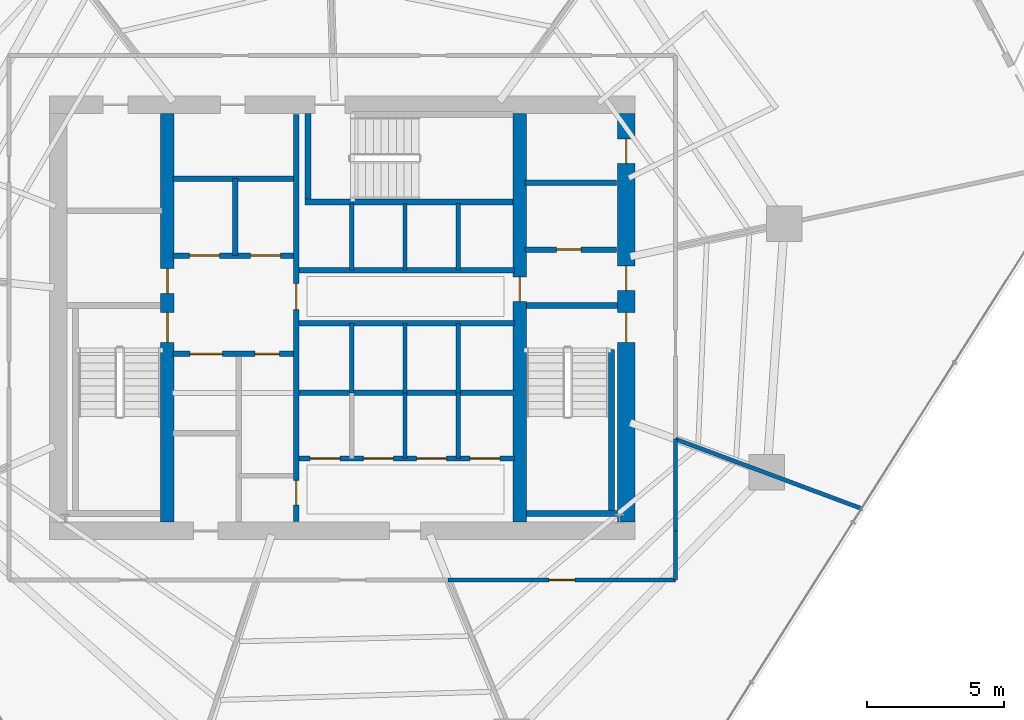
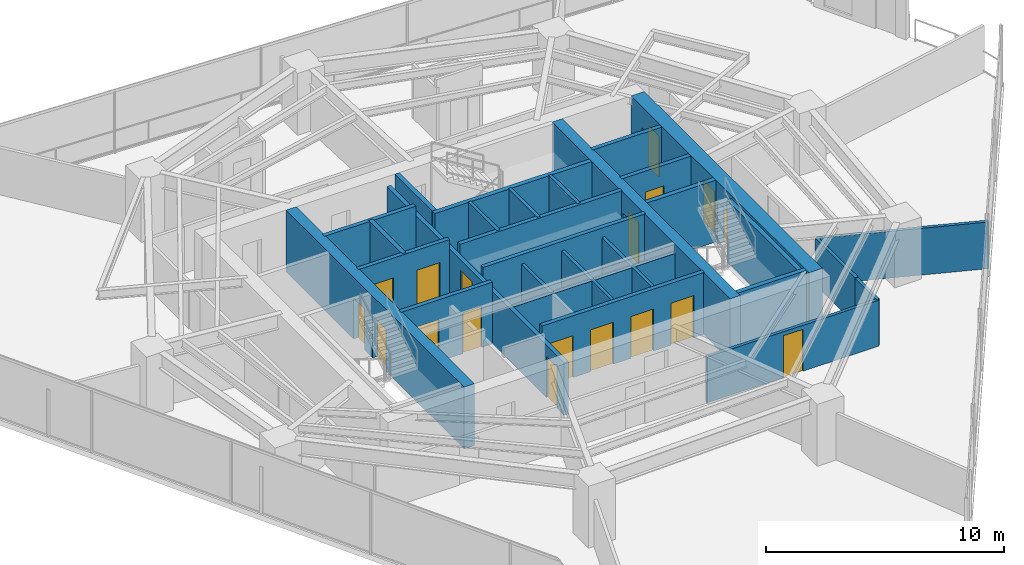
# One storey, part 24 of 30: 31 walls, 18 doors, 18 openings.
"""IFC4 building model written with IfcOpenShell, lengths in metres."""

from ifc_helpers import new_model, si_unit, direction, frame, frame_2d, origin, place, context, subcontext, project, spatial, rectangle, extrude, material, layer, layer_set, type_object, element, fill, save


model = new_model("IFC4")

# Units and contexts
model_context = context("Model", 3, precision=1e-05, world=origin(), true_north=direction((0.0, 1.0)))
body_context = subcontext(model_context, "Body", "Model", "MODEL_VIEW")
ifc_project = project(units=[si_unit("LENGTHUNIT", "METRE"), si_unit("AREAUNIT", "SQUARE_METRE"), si_unit("VOLUMEUNIT", "CUBIC_METRE"), si_unit("PLANEANGLEUNIT", "RADIAN"), si_unit("MASSUNIT", "GRAM", prefix="KILO")], contexts=[model_context])

# Site, building, storey
site_placement = place(None, origin())
site = spatial("IfcSite", under=ifc_project, at=site_placement, CompositionType="ELEMENT")
building_placement = place(site_placement, origin())
building = spatial("IfcBuilding", under=site, at=building_placement, Name="Qarnah Convention Tower", CompositionType="ELEMENT")
storey_placement = place(building_placement, frame((0.0, 0.0, 58.050048828125)))
storey = spatial("IfcBuildingStorey", under=building, at=storey_placement, Name="L14", CompositionType="ELEMENT", Elevation=58.050048828125)

# Wall, openings, doors
ifc_material_1 = material(Name="Concrete C60/75", Category="concrete")
ifc_layer_1 = layer(ifc_material_1, 0.64990234375)
ifc_layer_set_1 = layer_set([ifc_layer_1], Name="Concrete C60/75")
wall_type_1 = type_object("IfcWallType", Name="WL-CORE-650", PredefinedType="SHEAR", material=ifc_layer_set_1)
wall_1_placement = place(storey_placement, frame((47.60009765625, 18.925048828125, 0.0), z_axis=(0.0, 0.0, 1.0), x_axis=(0.0, 1.0, 0.0)))
wall_1 = element("IfcWall", 1, at=wall_1_placement, inside=storey, type_object=wall_type_1, Name="L14 core east shear wall", PredefinedType="SHEAR", context=body_context, shape_type="SweptSolid", body=[
    extrude(rectangle(XDim=14.949951171875, YDim=0.64990234375, at=frame_2d((7.47509765625, 0.0))), origin(), (0.0, 0.0, 1.0), 3.169921875),
])
opening_1_placement = place(wall_1_placement, frame((6.574951171875, 0.0, 0.0)))
opening_1 = element("IfcOpeningElement", 2, at=opening_1_placement, cuts=wall_1, Name="Opening D-1402", PredefinedType="OPENING", context=body_context, shape_type="SweptSolid", body=[
    extrude(rectangle(XDim=1.10009765625, YDim=2.14990234375, at=frame_2d((0.550048828125, 1.074951171875))), frame((0.0, 0.3349609375, 0.0), z_axis=(0.0, -1.0, 0.0), x_axis=(1.0, 0.0, 0.0)), (0.0, 0.0, 1.0), 0.669921875),
])
opening_2_placement = place(wall_1_placement, frame((8.47509765625, 0.0, 0.0)))
opening_2 = element("IfcOpeningElement", 3, at=opening_2_placement, cuts=wall_1, Name="Opening D-1406", PredefinedType="OPENING", context=body_context, shape_type="SweptSolid", body=[
    extrude(rectangle(XDim=0.89990234375, YDim=2.10009765625, at=frame_2d((0.449951171875, 1.050048828125))), frame((0.0, 0.3349609375, 0.0), z_axis=(0.0, -1.0, 0.0), x_axis=(1.0, 0.0, 0.0)), (0.0, 0.0, 1.0), 0.669921875),
])
opening_3_placement = place(wall_1_placement, frame((13.125, 0.0, 0.0)))
opening_3 = element("IfcOpeningElement", 4, at=opening_3_placement, cuts=wall_1, Name="Opening D-1412", PredefinedType="OPENING", context=body_context, shape_type="SweptSolid", body=[
    extrude(rectangle(XDim=0.89990234375, YDim=2.10009765625, at=frame_2d((0.449951171875, 1.050048828125))), frame((0.0, 0.3349609375, 0.0), z_axis=(0.0, -1.0, 0.0), x_axis=(1.0, 0.0, 0.0)), (0.0, 0.0, 1.0), 0.669921875),
])
ifc_material_2 = material(Name="Structural steel S355JR", Category="steel")
door_type_1 = type_object("IfcDoorType", Name="DT-RISER-900", OperationType="NOTDEFINED", PredefinedType="DOOR", material=ifc_material_2)
door_1_placement = place(opening_2_placement, origin())
door_1 = element("IfcDoor", 5, at=door_1_placement, inside=storey, type_object=door_type_1, Name="Door D-1406", OperationType="SINGLE_SWING_RIGHT", OverallHeight=2.10009765625, OverallWidth=0.89990234375, PredefinedType="DOOR", context=body_context, shape_type="SweptSolid", body=[
    extrude(rectangle(XDim=0.89990234375, YDim=2.10009765625, at=frame_2d((0.449951171875, 1.050048828125))), frame((0.0, 0.02490234375, 0.0), z_axis=(0.0, -1.0, 0.0), x_axis=(1.0, 0.0, 0.0)), (0.0, 0.0, 1.0), 0.050048828125),
])
fill(opening_2, door_1)
door_2_placement = place(opening_3_placement, origin())
door_2 = element("IfcDoor", 6, at=door_2_placement, inside=storey, type_object=door_type_1, Name="Door D-1412", OperationType="SINGLE_SWING_RIGHT", OverallHeight=2.10009765625, OverallWidth=0.89990234375, PredefinedType="DOOR", context=body_context, shape_type="SweptSolid", body=[
    extrude(rectangle(XDim=0.89990234375, YDim=2.10009765625, at=frame_2d((0.449951171875, 1.050048828125))), frame((0.0, 0.02490234375, 0.0), z_axis=(0.0, -1.0, 0.0), x_axis=(1.0, 0.0, 0.0)), (0.0, 0.0, 1.0), 0.050048828125),
])
fill(opening_3, door_2)
door_type_2 = type_object("IfcDoorType", Name="DT-STAIR-1100", OperationType="NOTDEFINED", PredefinedType="DOOR", material=ifc_material_2)
door_3_placement = place(opening_1_placement, origin())
door_3 = element("IfcDoor", 7, at=door_3_placement, inside=storey, type_object=door_type_2, Name="Door D-1402", OperationType="SINGLE_SWING_RIGHT", OverallHeight=2.14990234375, OverallWidth=1.10009765625, PredefinedType="DOOR", context=body_context, shape_type="SweptSolid", body=[
    extrude(rectangle(XDim=1.10009765625, YDim=2.14990234375, at=frame_2d((0.550048828125, 1.074951171875))), frame((0.0, 0.02490234375, 0.0), z_axis=(0.0, -1.0, 0.0), x_axis=(1.0, 0.0, 0.0)), (0.0, 0.0, 1.0), 0.050048828125),
])
fill(opening_1, door_3)

ifc_layer_2 = layer(ifc_material_1, 0.5)
ifc_layer_set_2 = layer_set([ifc_layer_2], Name="Concrete C60/75")
wall_type_2 = type_object("IfcWallType", Name="WL-CORE-INT-400", PredefinedType="SHEAR", material=ifc_layer_set_2)
wall_2_placement = place(storey_placement, frame((30.800048828125, 18.925048828125, 0.0), z_axis=(0.0, 0.0, 1.0), x_axis=(0.0, 1.0, 0.0)))
wall_2 = element("IfcWall", 8, at=wall_2_placement, inside=storey, type_object=wall_type_2, Name="L14 core west spine shear wall", PredefinedType="SHEAR", context=body_context, shape_type="SweptSolid", body=[
    extrude(rectangle(XDim=14.949951171875, YDim=0.5, at=frame_2d((7.47509765625, 0.0))), origin(), (0.0, 0.0, 1.0), 3.169921875),
])
opening_4_placement = place(wall_2_placement, frame((6.574951171875, 0.0, 0.0)))
opening_4 = element("IfcOpeningElement", 9, at=opening_4_placement, cuts=wall_2, Name="Opening D-1401", PredefinedType="OPENING", context=body_context, shape_type="SweptSolid", body=[
    extrude(rectangle(XDim=1.10009765625, YDim=2.14990234375, at=frame_2d((0.550048828125, 1.074951171875))), frame((0.0, 0.260009765625, 0.0), z_axis=(0.0, -1.0, 0.0), x_axis=(1.0, 0.0, 0.0)), (0.0, 0.0, 1.0), 0.52001953125),
])
opening_5_placement = place(wall_2_placement, frame((8.375, 0.0, 0.0)))
opening_5 = element("IfcOpeningElement", 10, at=opening_5_placement, cuts=wall_2, Name="Opening D-1408", PredefinedType="OPENING", context=body_context, shape_type="SweptSolid", body=[
    extrude(rectangle(XDim=0.89990234375, YDim=2.10009765625, at=frame_2d((0.449951171875, 1.050048828125))), frame((0.0, 0.260009765625, 0.0), z_axis=(0.0, -1.0, 0.0), x_axis=(1.0, 0.0, 0.0)), (0.0, 0.0, 1.0), 0.52001953125),
])
door_4_placement = place(opening_5_placement, origin())
door_4 = element("IfcDoor", 11, at=door_4_placement, inside=storey, type_object=door_type_1, Name="Door D-1408", OperationType="SINGLE_SWING_RIGHT", OverallHeight=2.10009765625, OverallWidth=0.89990234375, PredefinedType="DOOR", context=body_context, shape_type="SweptSolid", body=[
    extrude(rectangle(XDim=0.89990234375, YDim=2.10009765625, at=frame_2d((0.449951171875, 1.050048828125))), frame((0.0, 0.02490234375, 0.0), z_axis=(0.0, -1.0, 0.0), x_axis=(1.0, 0.0, 0.0)), (0.0, 0.0, 1.0), 0.050048828125),
])
fill(opening_5, door_4)
door_5_placement = place(opening_4_placement, origin())
door_5 = element("IfcDoor", 12, at=door_5_placement, inside=storey, type_object=door_type_2, Name="Door D-1401", OperationType="SINGLE_SWING_LEFT", OverallHeight=2.14990234375, OverallWidth=1.10009765625, PredefinedType="DOOR", context=body_context, shape_type="SweptSolid", body=[
    extrude(rectangle(XDim=1.10009765625, YDim=2.14990234375, at=frame_2d((0.550048828125, 1.074951171875))), frame((0.0, 0.02490234375, 0.0), z_axis=(0.0, -1.0, 0.0), x_axis=(1.0, 0.0, 0.0)), (0.0, 0.0, 1.0), 0.050048828125),
])
fill(opening_4, door_5)

# Wall, opening, door
wall_3_placement = place(storey_placement, frame((43.699951171875, 18.925048828125, 0.0), z_axis=(0.0, 0.0, 1.0), x_axis=(0.0, 1.0, 0.0)))
wall_3 = element("IfcWall", 13, at=wall_3_placement, inside=storey, type_object=wall_type_2, Name="L14 core east spine shear wall", PredefinedType="SHEAR", context=body_context, shape_type="SweptSolid", body=[
    extrude(rectangle(XDim=14.949951171875, YDim=0.5, at=frame_2d((7.47509765625, 0.0))), origin(), (0.0, 0.0, 1.0), 3.169921875),
])
opening_6_placement = place(wall_3_placement, frame((8.074951171875, 0.0, 0.0)))
opening_6 = element("IfcOpeningElement", 14, at=opening_6_placement, cuts=wall_3, Name="Opening D-1405", PredefinedType="OPENING", context=body_context, shape_type="SweptSolid", body=[
    extrude(rectangle(XDim=0.89990234375, YDim=2.10009765625, at=frame_2d((0.449951171875, 1.050048828125))), frame((0.0, 0.260009765625, 0.0), z_axis=(0.0, -1.0, 0.0), x_axis=(1.0, 0.0, 0.0)), (0.0, 0.0, 1.0), 0.52001953125),
])
door_6_placement = place(opening_6_placement, origin())
door_6 = element("IfcDoor", 15, at=door_6_placement, inside=storey, type_object=door_type_1, Name="Door D-1405", OperationType="SINGLE_SWING_LEFT", OverallHeight=2.10009765625, OverallWidth=0.89990234375, PredefinedType="DOOR", context=body_context, shape_type="SweptSolid", body=[
    extrude(rectangle(XDim=0.89990234375, YDim=2.10009765625, at=frame_2d((0.449951171875, 1.050048828125))), frame((0.0, 0.02490234375, 0.0), z_axis=(0.0, -1.0, 0.0), x_axis=(1.0, 0.0, 0.0)), (0.0, 0.0, 1.0), 0.050048828125),
])
fill(opening_6, door_6)

ifc_material_3 = material(Name="Concrete C45/55", Category="concrete")
ifc_layer_3 = layer(ifc_material_3, 0.199951171875)
ifc_layer_set_3 = layer_set([ifc_layer_3], Name="Concrete C45/55")
wall_type_3 = type_object("IfcWallType", Name="WL-CORE-PART-200", PredefinedType="SOLIDWALL", material=ifc_layer_set_3)
wall_4_placement = place(storey_placement, frame((43.89990234375, 28.89990234375, 0.0), z_axis=(0.0, 0.0, 1.0), x_axis=(1.0, 0.0, 0.0)))
wall_4 = element("IfcWall", 16, at=wall_4_placement, inside=storey, type_object=wall_type_3, Name="L14 interior wall IW-L14-EVSTN", PredefinedType="SOLIDWALL", context=body_context, shape_type="SweptSolid", body=[
    extrude(rectangle(XDim=3.35009765625, YDim=0.199951171875, at=frame_2d((1.675048828125, 0.0))), origin(), (0.0, 0.0, 1.0), 3.169921875),
])
opening_7_placement = place(wall_4_placement, frame((1.14990234375, 0.0, 0.0)))
opening_7 = element("IfcOpeningElement", 17, at=opening_7_placement, cuts=wall_4, Name="Opening D-1411", PredefinedType="OPENING", context=body_context, shape_type="SweptSolid", body=[
    extrude(rectangle(XDim=0.89990234375, YDim=2.10009765625, at=frame_2d((0.449951171875, 1.050048828125))), frame((0.0, 0.10986328125, 0.0), z_axis=(0.0, -1.0, 0.0), x_axis=(1.0, 0.0, 0.0)), (0.0, 0.0, 1.0), 0.219970703125),
])
door_7_placement = place(opening_7_placement, origin())
door_7 = element("IfcDoor", 18, at=door_7_placement, inside=storey, type_object=door_type_1, Name="Door D-1411", OperationType="SINGLE_SWING_LEFT", OverallHeight=2.10009765625, OverallWidth=0.89990234375, PredefinedType="DOOR", context=body_context, shape_type="SweptSolid", body=[
    extrude(rectangle(XDim=0.89990234375, YDim=2.10009765625, at=frame_2d((0.449951171875, 1.050048828125))), frame((0.0, 0.02490234375, 0.0), z_axis=(0.0, -1.0, 0.0), x_axis=(1.0, 0.0, 0.0)), (0.0, 0.0, 1.0), 0.050048828125),
])
fill(opening_7, door_7)

# Wall
wall_5_placement = place(storey_placement, frame((43.89990234375, 31.35009765625, 0.0), z_axis=(0.0, 0.0, 1.0), x_axis=(1.0, 0.0, 0.0)))
element("IfcWall", 19, at=wall_5_placement, inside=storey, type_object=wall_type_3, Name="L14 interior wall IW-L14-WTRN", PredefinedType="SOLIDWALL", context=body_context, shape_type="SweptSolid", body=[
    extrude(rectangle(XDim=3.35009765625, YDim=0.199951171875, at=frame_2d((1.675048828125, 0.0))), origin(), (0.0, 0.0, 1.0), 3.169921875),
])

# Wall, openings, doors
wall_6_placement = place(storey_placement, frame((35.52001953125, 18.949951171875, 0.0), z_axis=(0.0, 0.0, 1.0), x_axis=(0.0, 1.0, 0.0)))
wall_6 = element("IfcWall", 20, at=wall_6_placement, inside=storey, type_object=wall_type_3, Name="L14 interior wall IW-L14-CSP", PredefinedType="SOLIDWALL", context=body_context, shape_type="SweptSolid", body=[
    extrude(rectangle(XDim=14.900146484375, YDim=0.199951171875, at=frame_2d((7.4501953125, 0.0))), origin(), (0.0, 0.0, 1.0), 2.69091796875),
])
opening_8_placement = place(wall_6_placement, frame((7.7548828125, 0.0, 0.0)))
opening_8 = element("IfcOpeningElement", 21, at=opening_8_placement, cuts=wall_6, Name="Opening D-1404", PredefinedType="OPENING", context=body_context, shape_type="SweptSolid", body=[
    extrude(rectangle(XDim=0.949951171875, YDim=2.14990234375, at=frame_2d((0.47509765625, 1.074951171875))), frame((0.0, 0.10986328125, 0.0), z_axis=(0.0, -1.0, 0.0), x_axis=(1.0, 0.0, 0.0)), (0.0, 0.0, 1.0), 0.219970703125),
])
opening_9_placement = place(wall_6_placement, frame((0.60009765625, 0.0, 0.0)))
opening_9 = element("IfcOpeningElement", 22, at=opening_9_placement, cuts=wall_6, Name="Opening D-1414", PredefinedType="OPENING", context=body_context, shape_type="SweptSolid", body=[
    extrude(rectangle(XDim=0.89990234375, YDim=2.10009765625, at=frame_2d((0.449951171875, 1.050048828125))), frame((0.0, 0.10986328125, 0.0), z_axis=(0.0, -1.0, 0.0), x_axis=(1.0, 0.0, 0.0)), (0.0, 0.0, 1.0), 0.219970703125),
])
ifc_material_4 = material(Name="Oak timber veneer", Category="wood")
door_type_3 = type_object("IfcDoorType", Name="DT-HOTEL-950", OperationType="NOTDEFINED", PredefinedType="DOOR", material=ifc_material_4)
door_8_placement = place(opening_8_placement, origin())
door_8 = element("IfcDoor", 23, at=door_8_placement, inside=storey, type_object=door_type_3, Name="Door D-1404", OperationType="SINGLE_SWING_RIGHT", OverallHeight=2.14990234375, OverallWidth=0.949951171875, PredefinedType="DOOR", context=body_context, shape_type="SweptSolid", body=[
    extrude(rectangle(XDim=0.949951171875, YDim=2.14990234375, at=frame_2d((0.47509765625, 1.074951171875))), frame((0.0, 0.02490234375, 0.0), z_axis=(0.0, -1.0, 0.0), x_axis=(1.0, 0.0, 0.0)), (0.0, 0.0, 1.0), 0.050048828125),
])
fill(opening_8, door_8)
door_9_placement = place(opening_9_placement, origin())
door_9 = element("IfcDoor", 24, at=door_9_placement, inside=storey, type_object=door_type_1, Name="Door D-1414", OperationType="SINGLE_SWING_RIGHT", OverallHeight=2.10009765625, OverallWidth=0.89990234375, PredefinedType="DOOR", context=body_context, shape_type="SweptSolid", body=[
    extrude(rectangle(XDim=0.89990234375, YDim=2.10009765625, at=frame_2d((0.449951171875, 1.050048828125))), frame((0.0, 0.02490234375, 0.0), z_axis=(0.0, -1.0, 0.0), x_axis=(1.0, 0.0, 0.0)), (0.0, 0.0, 1.0), 0.050048828125),
])
fill(opening_9, door_9)

wall_7_placement = place(storey_placement, frame((31.0, 28.679931640625, 0.0), z_axis=(0.0, 0.0, 1.0), x_axis=(1.0, 0.0, 0.0)))
wall_7 = element("IfcWall", 25, at=wall_7_placement, inside=storey, type_object=wall_type_3, Name="L14 interior wall IW-L14-FFLS", PredefinedType="SOLIDWALL", context=body_context, shape_type="SweptSolid", body=[
    extrude(rectangle(XDim=4.419921875, YDim=0.199951171875, at=frame_2d((2.2099609375, 0.0))), origin(), (0.0, 0.0, 1.0), 3.169921875),
])
opening_10_placement = place(wall_7_placement, frame((0.60009765625, 0.0, 0.0)))
opening_10 = element("IfcOpeningElement", 26, at=opening_10_placement, cuts=wall_7, Name="Opening LD-1401", PredefinedType="OPENING", context=body_context, shape_type="SweptSolid", body=[
    extrude(rectangle(XDim=1.10009765625, YDim=2.14990234375, at=frame_2d((0.550048828125, 1.074951171875))), frame((0.0, 0.10986328125, 0.0), z_axis=(0.0, -1.0, 0.0), x_axis=(1.0, 0.0, 0.0)), (0.0, 0.0, 1.0), 0.219970703125),
])
opening_11_placement = place(wall_7_placement, frame((2.85009765625, 0.0, 0.0)))
opening_11 = element("IfcOpeningElement", 27, at=opening_11_placement, cuts=wall_7, Name="Opening LD-1402", PredefinedType="OPENING", context=body_context, shape_type="SweptSolid", body=[
    extrude(rectangle(XDim=1.10009765625, YDim=2.14990234375, at=frame_2d((0.550048828125, 1.074951171875))), frame((0.0, 0.10986328125, 0.0), z_axis=(0.0, -1.0, 0.0), x_axis=(1.0, 0.0, 0.0)), (0.0, 0.0, 1.0), 0.219970703125),
])
door_type_4 = type_object("IfcDoorType", Name="DT-LIFT-1100", OperationType="SLIDING_TO_LEFT", PredefinedType="DOOR", material=ifc_material_2)
door_10_placement = place(opening_10_placement, origin())
door_10 = element("IfcDoor", 28, at=door_10_placement, inside=storey, type_object=door_type_4, Name="Door LD-1401", OperationType="SLIDING_TO_LEFT", OverallHeight=2.14990234375, OverallWidth=1.10009765625, PredefinedType="DOOR", context=body_context, shape_type="SweptSolid", body=[
    extrude(rectangle(XDim=1.10009765625, YDim=2.14990234375, at=frame_2d((0.550048828125, 1.074951171875))), frame((0.0, 0.02490234375, 0.0), z_axis=(0.0, -1.0, 0.0), x_axis=(1.0, 0.0, 0.0)), (0.0, 0.0, 1.0), 0.050048828125),
])
fill(opening_10, door_10)
door_11_placement = place(opening_11_placement, origin())
door_11 = element("IfcDoor", 29, at=door_11_placement, inside=storey, type_object=door_type_4, Name="Door LD-1402", OperationType="SLIDING_TO_LEFT", OverallHeight=2.14990234375, OverallWidth=1.10009765625, PredefinedType="DOOR", context=body_context, shape_type="SweptSolid", body=[
    extrude(rectangle(XDim=1.10009765625, YDim=2.14990234375, at=frame_2d((0.550048828125, 1.074951171875))), frame((0.0, 0.02490234375, 0.0), z_axis=(0.0, -1.0, 0.0), x_axis=(1.0, 0.0, 0.0)), (0.0, 0.0, 1.0), 0.050048828125),
])
fill(opening_11, door_11)

# Walls
wall_8_placement = place(storey_placement, frame((31.0, 31.5, 0.0), z_axis=(0.0, 0.0, 1.0), x_axis=(1.0, 0.0, 0.0)))
element("IfcWall", 30, at=wall_8_placement, inside=storey, type_object=wall_type_3, Name="L14 interior wall IW-L14-FFLN", PredefinedType="SOLIDWALL", context=body_context, shape_type="SweptSolid", body=[
    extrude(rectangle(XDim=4.419921875, YDim=0.199951171875, at=frame_2d((2.2099609375, 0.0))), origin(), (0.0, 0.0, 1.0), 3.169921875),
])
wall_9_placement = place(storey_placement, frame((33.280029296875, 28.679931640625, 0.0), z_axis=(0.0, 0.0, 1.0), x_axis=(0.0, 1.0, 0.0)))
element("IfcWall", 31, at=wall_9_placement, inside=storey, type_object=wall_type_3, Name="L14 interior wall IW-L14-FFLM", PredefinedType="SOLIDWALL", context=body_context, shape_type="SweptSolid", body=[
    extrude(rectangle(XDim=2.820068359375, YDim=0.199951171875, at=frame_2d((1.41015625, 0.0))), origin(), (0.0, 0.0, 1.0), 3.169921875),
])

# Wall, openings, doors
wall_10_placement = place(storey_placement, frame((31.0, 25.080078125, 0.0), z_axis=(0.0, 0.0, 1.0), x_axis=(1.0, 0.0, 0.0)))
wall_10 = element("IfcWall", 32, at=wall_10_placement, inside=storey, type_object=wall_type_3, Name="L14 interior wall IW-L14-FFLBS", PredefinedType="SOLIDWALL", context=body_context, shape_type="SweptSolid", body=[
    extrude(rectangle(XDim=4.419921875, YDim=0.199951171875, at=frame_2d((2.2099609375, 0.0))), origin(), (0.0, 0.0, 1.0), 3.169921875),
])
opening_12_placement = place(wall_10_placement, frame((3.0, 0.0, 0.0)))
opening_12 = element("IfcOpeningElement", 33, at=opening_12_placement, cuts=wall_10, Name="Opening D-1415", PredefinedType="OPENING", context=body_context, shape_type="SweptSolid", body=[
    extrude(rectangle(XDim=0.89990234375, YDim=2.10009765625, at=frame_2d((0.449951171875, 1.050048828125))), frame((0.0, 0.10986328125, 0.0), z_axis=(0.0, -1.0, 0.0), x_axis=(1.0, 0.0, 0.0)), (0.0, 0.0, 1.0), 0.219970703125),
])
opening_13_placement = place(wall_10_placement, frame((0.6201171875, 0.0, 0.0)))
opening_13 = element("IfcOpeningElement", 34, at=opening_13_placement, cuts=wall_10, Name="Opening LD-1403", PredefinedType="OPENING", context=body_context, shape_type="SweptSolid", body=[
    extrude(rectangle(XDim=1.199951171875, YDim=2.14990234375, at=frame_2d((0.60009765625, 1.074951171875))), frame((0.0, 0.10986328125, 0.0), z_axis=(0.0, -1.0, 0.0), x_axis=(1.0, 0.0, 0.0)), (0.0, 0.0, 1.0), 0.219970703125),
])
door_type_5 = type_object("IfcDoorType", Name="DT-LIFT-1200", OperationType="SLIDING_TO_LEFT", PredefinedType="DOOR", material=ifc_material_2)
door_12_placement = place(opening_13_placement, origin())
door_12 = element("IfcDoor", 35, at=door_12_placement, inside=storey, type_object=door_type_5, Name="Door LD-1403", OperationType="SLIDING_TO_LEFT", OverallHeight=2.14990234375, OverallWidth=1.199951171875, PredefinedType="DOOR", context=body_context, shape_type="SweptSolid", body=[
    extrude(rectangle(XDim=1.199951171875, YDim=2.14990234375, at=frame_2d((0.60009765625, 1.074951171875))), frame((0.0, 0.02490234375, 0.0), z_axis=(0.0, -1.0, 0.0), x_axis=(1.0, 0.0, 0.0)), (0.0, 0.0, 1.0), 0.050048828125),
])
fill(opening_13, door_12)
door_13_placement = place(opening_12_placement, origin())
door_13 = element("IfcDoor", 36, at=door_13_placement, inside=storey, type_object=door_type_1, Name="Door D-1415", OperationType="SINGLE_SWING_LEFT", OverallHeight=2.10009765625, OverallWidth=0.89990234375, PredefinedType="DOOR", context=body_context, shape_type="SweptSolid", body=[
    extrude(rectangle(XDim=0.89990234375, YDim=2.10009765625, at=frame_2d((0.449951171875, 1.050048828125))), frame((0.0, 0.02490234375, 0.0), z_axis=(0.0, -1.0, 0.0), x_axis=(1.0, 0.0, 0.0)), (0.0, 0.0, 1.0), 0.050048828125),
])
fill(opening_12, door_13)

# Walls
for number, where, z_axis, x_axis, name in (
    (37, (35.6201171875, 28.14990234375, 0.0), (0.0, 0.0, 1.0), (1.0, 0.0, 0.0), "L14 interior wall IW-L14-PHS"),
    (38, (35.6201171875, 26.199951171875, 0.0), (0.0, 0.0, 1.0), (1.0, 0.0, 0.0), "L14 interior wall IW-L14-PMN"),
):
    element("IfcWall", number, at=place(storey_placement, frame(where, z_axis=z_axis, x_axis=x_axis)), inside=storey, type_object=wall_type_3, Name=name, PredefinedType="SOLIDWALL", context=body_context, shape_type="SweptSolid", body=[
        extrude(rectangle(XDim=7.8798828125, YDim=0.199951171875, at=frame_2d((3.93994140625, 0.0))), origin(), (0.0, 0.0, 1.0), 3.169921875),
    ])
wall_11_placement = place(storey_placement, frame((35.6201171875, 23.64990234375, 0.0), z_axis=(0.0, 0.0, 1.0), x_axis=(1.0, 0.0, 0.0)))
element("IfcWall", 39, at=wall_11_placement, inside=storey, type_object=wall_type_3, Name="L14 interior wall IW-L14-PMPL", PredefinedType="SOLIDWALL", context=body_context, shape_type="SweptSolid", body=[
    extrude(rectangle(XDim=7.8798828125, YDim=0.199951171875, at=frame_2d((3.93994140625, 0.0))), origin(), (0.0, 0.0, 1.0), 2.69091796875),
])

# Wall, openings, doors
wall_12_placement = place(storey_placement, frame((35.6201171875, 21.25, 0.0), z_axis=(0.0, 0.0, 1.0), x_axis=(1.0, 0.0, 0.0)))
wall_12 = element("IfcWall", 40, at=wall_12_placement, inside=storey, type_object=wall_type_3, Name="L14 interior wall IW-L14-PLS", PredefinedType="SOLIDWALL", context=body_context, shape_type="SweptSolid", body=[
    extrude(rectangle(XDim=7.8798828125, YDim=0.199951171875, at=frame_2d((3.93994140625, 0.0))), origin(), (0.0, 0.0, 1.0), 3.169921875),
])
opening_14_placement = place(wall_12_placement, frame((0.405029296875, 0.0, 0.0)))
opening_14 = element("IfcOpeningElement", 41, at=opening_14_placement, cuts=wall_12, Name="Opening LD-1404", PredefinedType="OPENING", context=body_context, shape_type="SweptSolid", body=[
    extrude(rectangle(XDim=1.10009765625, YDim=2.14990234375, at=frame_2d((0.550048828125, 1.074951171875))), frame((0.0, 0.10986328125, 0.0), z_axis=(0.0, -1.0, 0.0), x_axis=(1.0, 0.0, 0.0)), (0.0, 0.0, 1.0), 0.219970703125),
])
opening_15_placement = place(wall_12_placement, frame((2.35498046875, 0.0, 0.0)))
opening_15 = element("IfcOpeningElement", 42, at=opening_15_placement, cuts=wall_12, Name="Opening LD-1405", PredefinedType="OPENING", context=body_context, shape_type="SweptSolid", body=[
    extrude(rectangle(XDim=1.10009765625, YDim=2.14990234375, at=frame_2d((0.550048828125, 1.074951171875))), frame((0.0, 0.10986328125, 0.0), z_axis=(0.0, -1.0, 0.0), x_axis=(1.0, 0.0, 0.0)), (0.0, 0.0, 1.0), 0.219970703125),
])
opening_16_placement = place(wall_12_placement, frame((4.304931640625, 0.0, 0.0)))
opening_16 = element("IfcOpeningElement", 43, at=opening_16_placement, cuts=wall_12, Name="Opening LD-1406", PredefinedType="OPENING", context=body_context, shape_type="SweptSolid", body=[
    extrude(rectangle(XDim=1.10009765625, YDim=2.14990234375, at=frame_2d((0.550048828125, 1.074951171875))), frame((0.0, 0.10986328125, 0.0), z_axis=(0.0, -1.0, 0.0), x_axis=(1.0, 0.0, 0.0)), (0.0, 0.0, 1.0), 0.219970703125),
])
opening_17_placement = place(wall_12_placement, frame((6.2548828125, 0.0, 0.0)))
opening_17 = element("IfcOpeningElement", 44, at=opening_17_placement, cuts=wall_12, Name="Opening LD-1407", PredefinedType="OPENING", context=body_context, shape_type="SweptSolid", body=[
    extrude(rectangle(XDim=1.10009765625, YDim=2.14990234375, at=frame_2d((0.550048828125, 1.074951171875))), frame((0.0, 0.10986328125, 0.0), z_axis=(0.0, -1.0, 0.0), x_axis=(1.0, 0.0, 0.0)), (0.0, 0.0, 1.0), 0.219970703125),
])
door_14_placement = place(opening_14_placement, origin())
door_14 = element("IfcDoor", 45, at=door_14_placement, inside=storey, type_object=door_type_4, Name="Door LD-1404", OperationType="SLIDING_TO_LEFT", OverallHeight=2.14990234375, OverallWidth=1.10009765625, PredefinedType="DOOR", context=body_context, shape_type="SweptSolid", body=[
    extrude(rectangle(XDim=1.10009765625, YDim=2.14990234375, at=frame_2d((0.550048828125, 1.074951171875))), frame((0.0, 0.02490234375, 0.0), z_axis=(0.0, -1.0, 0.0), x_axis=(1.0, 0.0, 0.0)), (0.0, 0.0, 1.0), 0.050048828125),
])
fill(opening_14, door_14)
door_15_placement = place(opening_15_placement, origin())
door_15 = element("IfcDoor", 46, at=door_15_placement, inside=storey, type_object=door_type_4, Name="Door LD-1405", OperationType="SLIDING_TO_LEFT", OverallHeight=2.14990234375, OverallWidth=1.10009765625, PredefinedType="DOOR", context=body_context, shape_type="SweptSolid", body=[
    extrude(rectangle(XDim=1.10009765625, YDim=2.14990234375, at=frame_2d((0.550048828125, 1.074951171875))), frame((0.0, 0.02490234375, 0.0), z_axis=(0.0, -1.0, 0.0), x_axis=(1.0, 0.0, 0.0)), (0.0, 0.0, 1.0), 0.050048828125),
])
fill(opening_15, door_15)
door_16_placement = place(opening_16_placement, origin())
door_16 = element("IfcDoor", 47, at=door_16_placement, inside=storey, type_object=door_type_4, Name="Door LD-1406", OperationType="SLIDING_TO_LEFT", OverallHeight=2.14990234375, OverallWidth=1.10009765625, PredefinedType="DOOR", context=body_context, shape_type="SweptSolid", body=[
    extrude(rectangle(XDim=1.10009765625, YDim=2.14990234375, at=frame_2d((0.550048828125, 1.074951171875))), frame((0.0, 0.02490234375, 0.0), z_axis=(0.0, -1.0, 0.0), x_axis=(1.0, 0.0, 0.0)), (0.0, 0.0, 1.0), 0.050048828125),
])
fill(opening_16, door_16)
door_17_placement = place(opening_17_placement, origin())
door_17 = element("IfcDoor", 48, at=door_17_placement, inside=storey, type_object=door_type_4, Name="Door LD-1407", OperationType="SLIDING_TO_LEFT", OverallHeight=2.14990234375, OverallWidth=1.10009765625, PredefinedType="DOOR", context=body_context, shape_type="SweptSolid", body=[
    extrude(rectangle(XDim=1.10009765625, YDim=2.14990234375, at=frame_2d((0.550048828125, 1.074951171875))), frame((0.0, 0.02490234375, 0.0), z_axis=(0.0, -1.0, 0.0), x_axis=(1.0, 0.0, 0.0)), (0.0, 0.0, 1.0), 0.050048828125),
])
fill(opening_17, door_17)

# Walls
ifc_layer_4 = layer(ifc_material_1, 0.219970703125)
ifc_layer_set_4 = layer_set([ifc_layer_4], Name="Concrete C60/75")
wall_type_4 = type_object("IfcWallType", Name="WL-CORE-STAIR-220", PredefinedType="SHEAR", material=ifc_layer_set_4)
wall_13_placement = place(storey_placement, frame((43.949951171875, 26.860107421875, 0.0), z_axis=(0.0, 0.0, 1.0), x_axis=(1.0, 0.0, 0.0)))
element("IfcWall", 49, at=wall_13_placement, inside=storey, type_object=wall_type_4, Name="L14 stair shaft shear wall SW-L14-ST2N", PredefinedType="SHEAR", context=body_context, shape_type="SweptSolid", body=[
    extrude(rectangle(XDim=3.324951171875, YDim=0.219970703125, at=frame_2d((1.66259765625, 0.0))), origin(), (0.0, 0.0, 1.0), 3.169921875),
])
wall_14_placement = place(storey_placement, frame((47.06005859375, 19.35009765625, 0.0), z_axis=(0.0, 0.0, 1.0), x_axis=(0.0, 1.0, 0.0)))
element("IfcWall", 50, at=wall_14_placement, inside=storey, type_object=wall_type_4, Name="L14 stair shaft shear wall SW-L14-ST2E", PredefinedType="SHEAR", context=body_context, shape_type="SweptSolid", body=[
    extrude(rectangle(XDim=5.89990234375, YDim=0.219970703125, at=frame_2d((2.949951171875, 0.0))), origin(), (0.0, 0.0, 1.0), 3.169921875),
])
wall_15_placement = place(storey_placement, frame((43.949951171875, 19.239990234375, 0.0), z_axis=(0.0, 0.0, 1.0), x_axis=(1.0, 0.0, 0.0)))
element("IfcWall", 51, at=wall_15_placement, inside=storey, type_object=wall_type_4, Name="L14 stair shaft shear wall SW-L14-ST2S", PredefinedType="SHEAR", context=body_context, shape_type="SweptSolid", body=[
    extrude(rectangle(XDim=3.324951171875, YDim=0.219970703125, at=frame_2d((1.66259765625, 0.0))), origin(), (0.0, 0.0, 1.0), 3.169921875),
])
wall_16_placement = place(storey_placement, frame((35.840087890625, 30.639892578125, 0.0), z_axis=(0.0, 0.0, 1.0), x_axis=(1.0, 0.0, 0.0)))
element("IfcWall", 52, at=wall_16_placement, inside=storey, type_object=wall_type_4, Name="L14 stair shaft shear wall SW-L14-ST3S", PredefinedType="SHEAR", context=body_context, shape_type="SweptSolid", body=[
    extrude(rectangle(XDim=7.60986328125, YDim=0.219970703125, at=frame_2d((3.804931640625, 0.0))), origin(), (0.0, 0.0, 1.0), 3.169921875),
])
wall_17_placement = place(storey_placement, frame((35.93994140625, 30.75, 0.0), z_axis=(0.0, 0.0, 1.0), x_axis=(0.0, 1.0, 0.0)))
element("IfcWall", 53, at=wall_17_placement, inside=storey, type_object=wall_type_4, Name="L14 stair shaft shear wall SW-L14-ST3W", PredefinedType="SHEAR", context=body_context, shape_type="SweptSolid", body=[
    extrude(rectangle(XDim=3.125, YDim=0.219970703125, at=frame_2d((1.5625, 0.0))), origin(), (0.0, 0.0, 1.0), 3.169921875),
])
ifc_material_5 = material(Name="Gypsum partition board")
ifc_layer_5 = layer(ifc_material_5, 0.14990234375)
ifc_layer_set_5 = layer_set([ifc_layer_5], Name="Gypsum partition board")
wall_type_5 = type_object("IfcWallType", Name="WL-SUITE-150", PredefinedType="PARTITIONING", material=ifc_layer_set_5)
for number, where, z_axis, x_axis, name in (
    (54, (37.550048828125, 28.14990234375, 0.0), (0.0, 0.0, 1.0), (0.0, 1.0, 0.0), "L14 interior wall IW-L14-PHD1"),
    (55, (39.5, 28.14990234375, 0.0), (0.0, 0.0, 1.0), (0.0, 1.0, 0.0), "L14 interior wall IW-L14-PHD2"),
    (56, (41.449951171875, 28.14990234375, 0.0), (0.0, 0.0, 1.0), (0.0, 1.0, 0.0), "L14 interior wall IW-L14-PHD3"),
):
    element("IfcWall", number, at=place(storey_placement, frame(where, z_axis=z_axis, x_axis=x_axis)), inside=storey, type_object=wall_type_5, Name=name, PredefinedType="PARTITIONING", context=body_context, shape_type="SweptSolid", body=[
        extrude(rectangle(XDim=2.43017578125, YDim=0.14990234375, at=frame_2d((1.215087890625, 0.0))), origin(), (0.0, 0.0, 1.0), 3.169921875),
    ])
for number, where, z_axis, x_axis, name in (
    (57, (37.550048828125, 23.64990234375, 0.0), (0.0, 0.0, 1.0), (0.0, 1.0, 0.0), "L14 interior wall IW-L14-PMD1"),
    (58, (39.5, 23.64990234375, 0.0), (0.0, 0.0, 1.0), (0.0, 1.0, 0.0), "L14 interior wall IW-L14-PMD2"),
    (59, (41.449951171875, 23.64990234375, 0.0), (0.0, 0.0, 1.0), (0.0, 1.0, 0.0), "L14 interior wall IW-L14-PMD3"),
):
    element("IfcWall", number, at=place(storey_placement, frame(where, z_axis=z_axis, x_axis=x_axis)), inside=storey, type_object=wall_type_5, Name=name, PredefinedType="PARTITIONING", context=body_context, shape_type="SweptSolid", body=[
        extrude(rectangle(XDim=2.550048828125, YDim=0.14990234375, at=frame_2d((1.27490234375, 0.0))), origin(), (0.0, 0.0, 1.0), 2.69091796875),
    ])
for number, where, z_axis, x_axis, name in (
    (60, (39.5, 21.25, 0.0), (0.0, 0.0, 1.0), (0.0, 1.0, 0.0), "L14 interior wall IW-L14-PLD2"),
    (61, (41.449951171875, 21.25, 0.0), (0.0, 0.0, 1.0), (0.0, 1.0, 0.0), "L14 interior wall IW-L14-PLD3"),
):
    element("IfcWall", number, at=place(storey_placement, frame(where, z_axis=z_axis, x_axis=x_axis)), inside=storey, type_object=wall_type_5, Name=name, PredefinedType="PARTITIONING", context=body_context, shape_type="SweptSolid", body=[
        extrude(rectangle(XDim=2.39990234375, YDim=0.14990234375, at=frame_2d((1.199951171875, 0.0))), origin(), (0.0, 0.0, 1.0), 2.69091796875),
    ])
wall_18_placement = place(storey_placement, frame((56.258056640625, 19.39990234375, 0.0), z_axis=(0.0, 0.0, 1.0), x_axis=(-0.936855792999, 0.349715917745, 0.0)))
element("IfcWall", 62, at=wall_18_placement, inside=storey, type_object=wall_type_5, Name="L14 interior wall IW-L14-R-30", PredefinedType="PARTITIONING", context=body_context, shape_type="SweptSolid", body=[
    extrude(rectangle(XDim=7.3203125, YDim=0.14990234375, at=frame_2d((3.66015625, 0.0))), origin(), (0.0, 0.0, 1.0), 2.39501953125),
])
wall_19_placement = place(storey_placement, frame((49.39990234375, 21.9599609375, 0.0), z_axis=(0.0, 0.0, 1.0), x_axis=(0.0, -1.0, 0.0)))
element("IfcWall", 63, at=wall_19_placement, inside=storey, type_object=wall_type_5, Name="L14 interior wall IW-L14-R-31", PredefinedType="PARTITIONING", context=body_context, shape_type="SweptSolid", body=[
    extrude(rectangle(XDim=3.35986328125, YDim=0.14990234375, at=frame_2d((1.679931640625, 0.0))), origin(), (0.0, 0.0, 1.0), 2.39501953125),
])
wall_20_placement = place(storey_placement, frame((49.39990234375, 18.60009765625, 0.0), z_axis=(0.0, 0.0, 1.0), x_axis=(0.0, -1.0, 0.0)))
element("IfcWall", 64, at=wall_20_placement, inside=storey, type_object=wall_type_5, Name="L14 interior wall IW-L14-R-32", PredefinedType="PARTITIONING", context=body_context, shape_type="SweptSolid", body=[
    extrude(rectangle(XDim=1.800048828125, YDim=0.14990234375, at=frame_2d((0.89990234375, 0.0))), origin(), (0.0, 0.0, 1.0), 2.35498046875),
])

# Wall, opening, door
wall_21_placement = place(storey_placement, frame((49.39990234375, 16.800048828125, 0.0), z_axis=(0.0, 0.0, 1.0), x_axis=(-1.0, 0.0, 0.0)))
wall_21 = element("IfcWall", 65, at=wall_21_placement, inside=storey, type_object=wall_type_5, Name="L14 interior wall IW-L14-R-33", PredefinedType="PARTITIONING", context=body_context, shape_type="SweptSolid", body=[
    extrude(rectangle(XDim=8.32080078125, YDim=0.14990234375, at=frame_2d((4.160400390625, 0.0))), origin(), (0.0, 0.0, 1.0), 2.35498046875),
])
opening_18_placement = place(wall_21_placement, frame((3.68505859375, 0.0, 0.0)))
opening_18 = element("IfcOpeningElement", 66, at=opening_18_placement, cuts=wall_21, Name="Opening D-1425", PredefinedType="OPENING", context=body_context, shape_type="SweptSolid", body=[
    extrude(rectangle(XDim=0.949951171875, YDim=2.14990234375, at=frame_2d((0.47509765625, 1.074951171875))), frame((0.0, 0.0849609375, 0.0), z_axis=(0.0, -1.0, 0.0), x_axis=(1.0, 0.0, 0.0)), (0.0, 0.0, 1.0), 0.169921875),
])
door_18_placement = place(opening_18_placement, origin())
door_18 = element("IfcDoor", 67, at=door_18_placement, inside=storey, type_object=door_type_3, Name="Door D-1425", OperationType="SINGLE_SWING_LEFT", OverallHeight=2.14990234375, OverallWidth=0.949951171875, PredefinedType="DOOR", context=body_context, shape_type="SweptSolid", body=[
    extrude(rectangle(XDim=0.949951171875, YDim=2.14990234375, at=frame_2d((0.47509765625, 1.074951171875))), frame((0.0, 0.02490234375, 0.0), z_axis=(0.0, -1.0, 0.0), x_axis=(1.0, 0.0, 0.0)), (0.0, 0.0, 1.0), 0.050048828125),
])
fill(opening_18, door_18)

save(model, "model.ifc")
